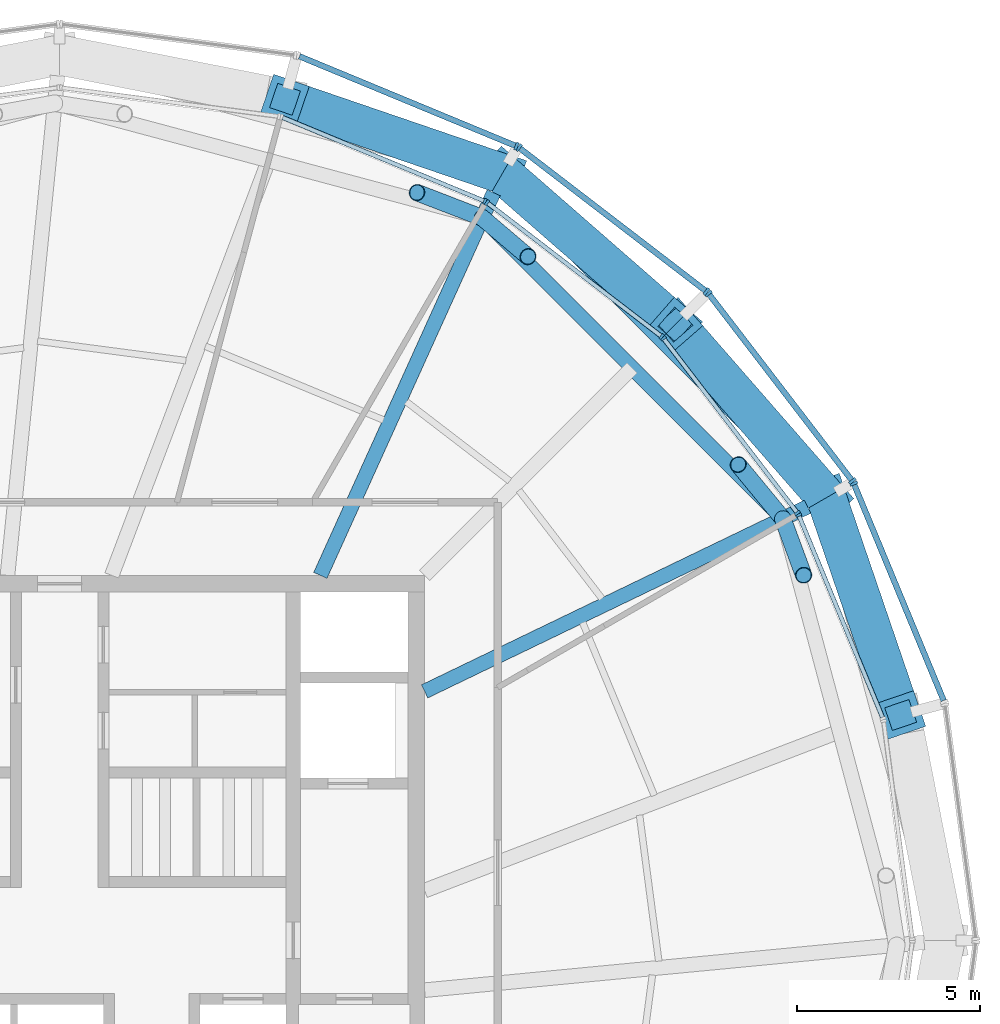
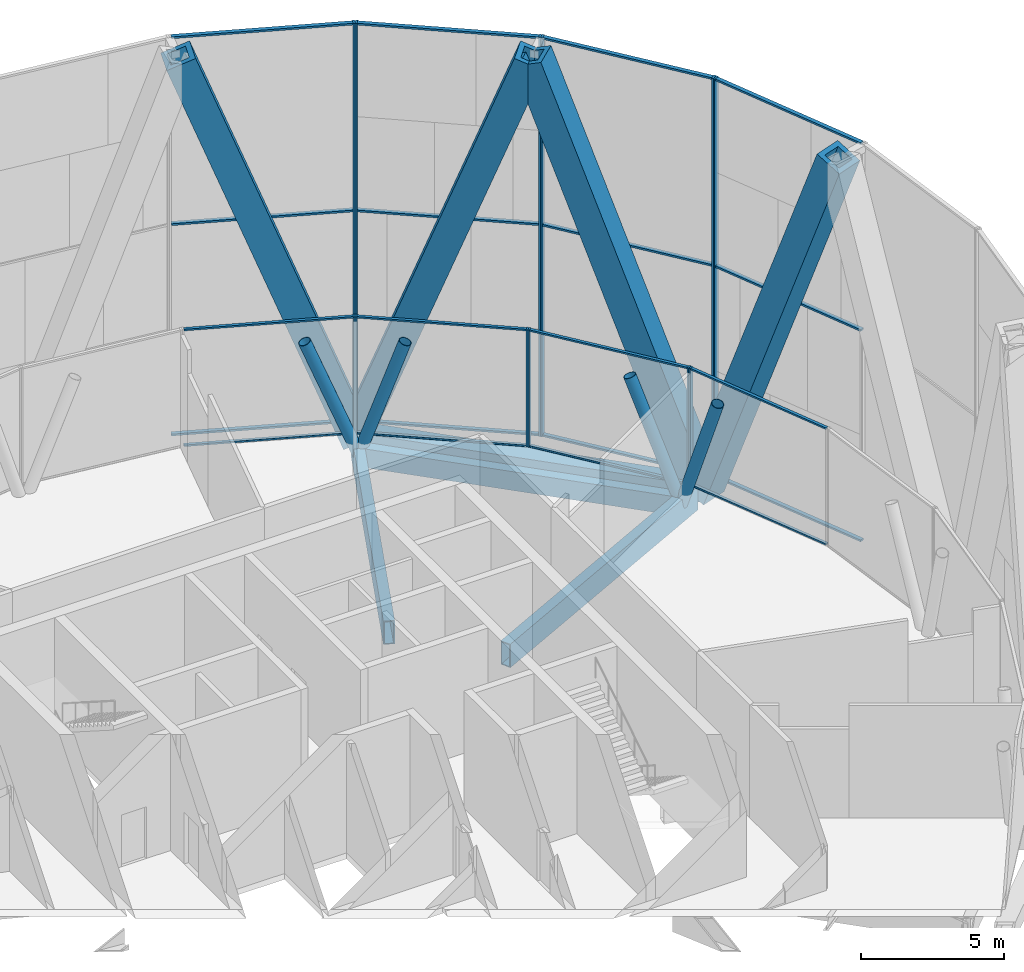
# One storey, part 8 of 15: 40 members, 4 beams, 8 elements without a shape of their own.
"""IFC4 building model written with IfcOpenShell, lengths in metres."""

from ifc_helpers import new_model, si_unit, direction, frame, origin, origin_2d, place, context, subcontext, project, spatial, rectangle, hollow_rectangle, hollow_circle, extrude, material, material_profile, profile_set, type_object, element, aggregate, save


model = new_model("IFC4")

# Units and contexts
model_context = context("Model", 3, precision=1e-05, world=origin(), true_north=direction((0.0, 1.0)))
body_context = subcontext(model_context, "Body", "Model", "MODEL_VIEW")
ifc_project = project(units=[si_unit("LENGTHUNIT", "METRE"), si_unit("AREAUNIT", "SQUARE_METRE"), si_unit("VOLUMEUNIT", "CUBIC_METRE"), si_unit("PLANEANGLEUNIT", "RADIAN"), si_unit("MASSUNIT", "GRAM", prefix="KILO")], contexts=[model_context])

# Site, building, storey
site_placement = place(None, origin())
site = spatial("IfcSite", under=ifc_project, at=site_placement, CompositionType="ELEMENT")
building_placement = place(site_placement, origin())
building = spatial("IfcBuilding", under=site, at=building_placement, Name="Golbaran Civic Tower", CompositionType="ELEMENT")
storey_placement = place(building_placement, frame((0.0, 0.0, 215.0)))
storey = spatial("IfcBuildingStorey", under=building, at=storey_placement, Name="L52", CompositionType="ELEMENT", Elevation=215.0)

# Members
ifc_material_1 = material(Name="Steel S355", Category="steel")
ifc_material_profile_1 = material_profile(ifc_material_1, hollow_circle(Radius=0.228515625, WallThickness=0.02001953125, at=origin_2d()), Name="CHS 457.0x20")
ifc_profile_set_1 = profile_set([ifc_material_profile_1], Name="Steel S355")
member_type_1 = type_object("IfcMemberType", Name="BELT TRUSS DIAGONAL CHS 457.0x20", PredefinedType="BRACE", material=ifc_profile_set_1)
member_1_placement = place(storey_placement, frame((19.81298828125, 11.552734375, -0.60009765625), z_axis=(-0.228116831888, 0.276885065679, 0.933433110305), x_axis=(-0.77180186456, -0.635863099938, 0.0)))
element("IfcMember", 1, at=member_1_placement, inside=storey, type_object=member_type_1, Name="Belt truss diagonal 30.00R L52", PredefinedType="BRACE", context=body_context, shape_type="SweptSolid", body=[
    extrude(hollow_circle(Radius=0.228515625, WallThickness=0.02001953125, at=origin_2d()), origin(), (0.0, 0.0, 1.0), 5.356689453125),
])
member_2_placement = place(storey_placement, frame((19.81298828125, 11.552734375, -0.60009765625), z_axis=(0.108443912345, -0.294361008754, 0.949521729294), x_axis=(0.938348163363, 0.345691660751, 0.0)))
element("IfcMember", 2, at=member_2_placement, inside=storey, type_object=member_type_1, Name="Belt truss diagonal 30.00L L52", PredefinedType="BRACE", context=body_context, shape_type="SweptSolid", body=[
    extrude(hollow_circle(Radius=0.228515625, WallThickness=0.02001953125, at=origin_2d()), origin(), (0.0, 0.0, 1.0), 5.265869140625),
])
member_3_placement = place(storey_placement, frame((11.580322265625, 19.796875, -0.60009765625), z_axis=(-0.334288189881, 0.128873955106, 0.933618182022), x_axis=(-0.359712247931, -0.933063287612, 0.0)))
element("IfcMember", 3, at=member_3_placement, inside=storey, type_object=member_type_1, Name="Belt truss diagonal 60.00R L52", PredefinedType="BRACE", context=body_context, shape_type="SweptSolid", body=[
    extrude(hollow_circle(Radius=0.228515625, WallThickness=0.02001953125, at=origin_2d()), origin(), (0.0, 0.0, 1.0), 5.35546875),
])
member_4_placement = place(storey_placement, frame((11.580322265625, 19.796875, -0.60009765625), z_axis=(0.237997322439, -0.202374258001, 0.949948385024), x_axis=(0.647790633231, 0.76181841373, 0.0)))
element("IfcMember", 4, at=member_4_placement, inside=storey, type_object=member_type_1, Name="Belt truss diagonal 60.00L L52", PredefinedType="BRACE", context=body_context, shape_type="SweptSolid", body=[
    extrude(hollow_circle(Radius=0.228515625, WallThickness=0.02001953125, at=origin_2d()), origin(), (0.0, 0.0, 1.0), 5.263427734375),
])
ifc_material_profile_2 = material_profile(ifc_material_1, hollow_rectangle(XDim=1.10009765625, YDim=1.10009765625, WallThickness=0.199951171875, at=origin_2d()), Name="BOX 1100x1100x200")
ifc_profile_set_2 = profile_set([ifc_material_profile_2], Name="Steel S355")
member_type_2 = type_object("IfcMemberType", Name="DIAGRID DIAGONAL BOX 1100x1100x200", PredefinedType="BRACE", material=ifc_profile_set_2)
for number, where, z_axis, x_axis, name in (
    (5, (21.00634765625, 12.1279296875, -0.7099609375), (-0.228299784139, 0.261485476318, 0.937819041306), (-0.753290092564, -0.657688403763, 0.0), "Diagonal D12-01R L52-L56"),
    (6, (21.00634765625, 12.1279296875, -0.7099609375), (0.112311622101, -0.328449877464, 0.937820226661), (0.94621056858, 0.323551479534, 0.0), "Diagonal D12-01L L52-L56"),
    (7, (12.1279296875, 21.00634765625, -0.7099609375), (-0.328449877464, 0.112311622101, 0.937820226661), (-0.323551479534, -0.94621056858, 0.0), "Diagonal D12-02R L52-L56"),
    (8, (12.1279296875, 21.00634765625, -0.7099609375), (0.261485476318, -0.228299784139, 0.937819041306), (0.657688403763, 0.753290092564, 0.0), "Diagonal D12-02L L52-L56"),
):
    element("IfcMember", number, at=place(storey_placement, frame(where, z_axis=z_axis, x_axis=x_axis)), inside=storey, type_object=member_type_2, Name=name, PredefinedType="BRACE", context=body_context, shape_type="SweptSolid", body=[
        extrude(hollow_rectangle(XDim=1.10009765625, YDim=1.10009765625, WallThickness=0.199951171875, at=origin_2d()), origin(), (0.0, 0.0, 1.0), 18.127197265625),
    ])

# Beams
ifc_material_profile_3 = material_profile(ifc_material_1, hollow_rectangle(XDim=0.699951171875, YDim=0.699951171875, WallThickness=0.080078125, at=origin_2d()), Name="BOX 700x700x80")
ifc_profile_set_3 = profile_set([ifc_material_profile_3], Name="Steel S355")
beam_type_1 = type_object("IfcBeamType", Name="DIAGRID RING TIE BOX 700x700x80", PredefinedType="BEAM", material=ifc_profile_set_3)
beam_1_placement = place(storey_placement, frame((21.00634765625, 12.1279296875, -0.7099609375), z_axis=(-0.707106781187, 0.707106781187, 0.0), x_axis=(-0.707106781187, -0.707106781187, 0.0)))
element("IfcBeam", 9, at=beam_1_placement, inside=storey, type_object=beam_type_1, Name="Ring tie 30.00 L52", PredefinedType="BEAM", context=body_context, shape_type="SweptSolid", body=[
    extrude(hollow_rectangle(XDim=0.699951171875, YDim=0.699951171875, WallThickness=0.080078125, at=origin_2d()), origin(), (0.0, 0.0, 1.0), 12.555908203125),
])
ifc_material_profile_4 = material_profile(ifc_material_1, hollow_rectangle(XDim=0.39990234375, YDim=0.800048828125, WallThickness=0.0400390625, at=origin_2d()), Name="BOX 800x400x40")
ifc_profile_set_4 = profile_set([ifc_material_profile_4], Name="Steel S355")
beam_type_2 = type_object("IfcBeamType", Name="EDGE BEAM BOX 800x400x40", PredefinedType="BEAM", material=ifc_profile_set_4)
beam_2_placement = place(storey_placement, frame((19.67822265625, 11.6875, -0.60009765625), z_axis=(-0.706608276998, 0.707604934182, 0.0), x_axis=(-0.707604934182, -0.706608276998, 0.0)))
element("IfcBeam", 10, at=beam_2_placement, inside=storey, type_object=beam_type_2, Name="Edge beam 30.00 L52", PredefinedType="BEAM", context=body_context, shape_type="SweptSolid", body=[
    extrude(hollow_rectangle(XDim=0.39990234375, YDim=0.800048828125, WallThickness=0.0400390625, at=origin_2d()), origin(), (0.0, 0.0, 1.0), 11.26806640625),
])

# Curtain wall, member
ifc_material_2 = material(Name="Aluminium and glass", Category="aluminium")
curtain_wall_type_1 = type_object("IfcCurtainWallType", Name="OUTER SKIN TERRACOTTA SCREEN", PredefinedType="NOTDEFINED", material=ifc_material_2)
curtain_wall_1_placement = place(storey_placement, origin())
curtain_wall_1 = element("IfcCurtainWall", 11, at=curtain_wall_1_placement, inside=storey, type_object=curtain_wall_type_1, Name="Outer skin L52 facet 2 CW3", ObjectType="OUTER SKIN", PredefinedType="USERDEFINED")
ifc_material_3 = material(Name="Aluminium", Category="aluminium")
ifc_material_profile_5 = material_profile(ifc_material_3, rectangle(XDim=0.219970703125, YDim=0.080078125, at=origin_2d()), Name="OUTER SKIN TERRACOTTA SCREEN MULLION")
ifc_profile_set_5 = profile_set([ifc_material_profile_5], Name="Aluminium")
member_type_3 = type_object("IfcMemberType", Name="OUTER SKIN TERRACOTTA SCREEN MULLION", PredefinedType="MULLION", material=ifc_profile_set_5)
member_5_placement = place(storey_placement, frame((21.7578125, 12.51611328125, -0.7099609375), z_axis=(0.0, 0.0, 1.0), x_axis=(-0.923879532485, -0.38268343243, 0.0)))
member_5 = element("IfcMember", 12, at=member_5_placement, type_object=member_type_3, Name="CW3 mullion 2", PredefinedType="MULLION", context=body_context, shape_type="SweptSolid", body=[
    extrude(rectangle(XDim=0.219970703125, YDim=0.080078125, at=origin_2d()), origin(), (0.0, 0.0, 1.0), 17.0),
])

# Curtain wall, members
curtain_wall_2_placement = place(storey_placement, origin())
curtain_wall_2 = element("IfcCurtainWall", 13, at=curtain_wall_2_placement, inside=storey, type_object=curtain_wall_type_1, Name="Outer skin L52 facet 3 CW3", ObjectType="OUTER SKIN", PredefinedType="USERDEFINED")
member_6_placement = place(storey_placement, frame((21.718017578125, 12.584716796875, -0.7099609375), z_axis=(0.0, 0.0, 1.0), x_axis=(-0.793353340259, -0.60876142905, 0.0)))
member_6 = element("IfcMember", 14, at=member_6_placement, type_object=member_type_3, Name="CW3 mullion 1", PredefinedType="MULLION", context=body_context, shape_type="SweptSolid", body=[
    extrude(rectangle(XDim=0.219970703125, YDim=0.080078125, at=origin_2d()), origin(), (0.0, 0.0, 1.0), 17.0),
])
member_7_placement = place(storey_placement, frame((17.77685546875, 17.720947265625, -0.7099609375), z_axis=(0.0, 0.0, 1.0), x_axis=(-0.793353340259, -0.60876142905, 0.0)))
member_7 = element("IfcMember", 15, at=member_7_placement, type_object=member_type_3, Name="CW3 mullion 2", PredefinedType="MULLION", context=body_context, shape_type="SweptSolid", body=[
    extrude(rectangle(XDim=0.219970703125, YDim=0.080078125, at=origin_2d()), origin(), (0.0, 0.0, 1.0), 17.0),
])

curtain_wall_3_placement = place(storey_placement, origin())
curtain_wall_3 = element("IfcCurtainWall", 16, at=curtain_wall_3_placement, inside=storey, type_object=curtain_wall_type_1, Name="Outer skin L52 facet 4 CW3", ObjectType="OUTER SKIN", PredefinedType="USERDEFINED")
member_8_placement = place(storey_placement, frame((17.720947265625, 17.77685546875, -0.7099609375), z_axis=(0.0, 0.0, 1.0), x_axis=(-0.60876142905, -0.793353340259, 0.0)))
member_8 = element("IfcMember", 17, at=member_8_placement, type_object=member_type_3, Name="CW3 mullion 1", PredefinedType="MULLION", context=body_context, shape_type="SweptSolid", body=[
    extrude(rectangle(XDim=0.219970703125, YDim=0.080078125, at=origin_2d()), origin(), (0.0, 0.0, 1.0), 17.0),
])
member_9_placement = place(storey_placement, frame((12.584716796875, 21.718017578125, -0.7099609375), z_axis=(0.0, 0.0, 1.0), x_axis=(-0.60876142905, -0.793353340259, 0.0)))
member_9 = element("IfcMember", 18, at=member_9_placement, type_object=member_type_3, Name="CW3 mullion 2", PredefinedType="MULLION", context=body_context, shape_type="SweptSolid", body=[
    extrude(rectangle(XDim=0.219970703125, YDim=0.080078125, at=origin_2d()), origin(), (0.0, 0.0, 1.0), 17.0),
])

# Curtain wall, member
curtain_wall_4_placement = place(storey_placement, origin())
curtain_wall_4 = element("IfcCurtainWall", 19, at=curtain_wall_4_placement, inside=storey, type_object=curtain_wall_type_1, Name="Outer skin L52 facet 5 CW3", ObjectType="OUTER SKIN", PredefinedType="USERDEFINED")
member_10_placement = place(storey_placement, frame((12.51611328125, 21.7578125, -0.7099609375), z_axis=(0.0, 0.0, 1.0), x_axis=(-0.38268343243, -0.923879532485, 0.0)))
member_10 = element("IfcMember", 20, at=member_10_placement, type_object=member_type_3, Name="CW3 mullion 1", PredefinedType="MULLION", context=body_context, shape_type="SweptSolid", body=[
    extrude(rectangle(XDim=0.219970703125, YDim=0.080078125, at=origin_2d()), origin(), (0.0, 0.0, 1.0), 17.0),
])

# Member
ifc_material_profile_6 = material_profile(ifc_material_3, rectangle(XDim=0.159912109375, YDim=0.080078125, at=origin_2d()), Name="OUTER SKIN TERRACOTTA SCREEN TRANSOM")
ifc_profile_set_6 = profile_set([ifc_material_profile_6], Name="Aluminium")
member_type_4 = type_object("IfcMemberType", Name="OUTER SKIN TERRACOTTA SCREEN TRANSOM", PredefinedType="USERDEFINED", material=ifc_profile_set_6)
member_11_placement = place(storey_placement, frame((24.219970703125, 6.57177734375, -0.669921875), z_axis=(-0.382705875896, 0.923870235777, 0.0), x_axis=(-0.923870235777, -0.382705875896, 0.0)))
member_11 = element("IfcMember", 21, at=member_11_placement, type_object=member_type_4, Name="CW3 transom 1.1", ObjectType="TRANSOM", PredefinedType="USERDEFINED", context=body_context, shape_type="SweptSolid", body=[
    extrude(rectangle(XDim=0.159912109375, YDim=0.080078125, at=origin_2d()), origin(), (0.0, 0.0, 1.0), 6.39404296875),
])

member_12_placement = place(storey_placement, frame((24.219970703125, 6.57177734375, 8.2900390625), z_axis=(-0.382705875896, 0.923870235777, 0.0), x_axis=(-0.923870235777, -0.382705875896, 0.0)))
member_12 = element("IfcMember", 22, at=member_12_placement, type_object=member_type_4, Name="CW3 transom 1.2", ObjectType="TRANSOM", PredefinedType="USERDEFINED", context=body_context, shape_type="SweptSolid", body=[
    extrude(rectangle(XDim=0.159912109375, YDim=0.080078125, at=origin_2d()), origin(), (0.0, 0.0, 1.0), 6.39404296875),
])

member_13_placement = place(storey_placement, frame((24.219970703125, 6.57177734375, 16.25), z_axis=(-0.382705875896, 0.923870235777, 0.0), x_axis=(-0.923870235777, -0.382705875896, 0.0)))
member_13 = element("IfcMember", 23, at=member_13_placement, type_object=member_type_4, Name="CW3 transom 1.3", ObjectType="TRANSOM", PredefinedType="USERDEFINED", context=body_context, shape_type="SweptSolid", body=[
    extrude(rectangle(XDim=0.159912109375, YDim=0.080078125, at=origin_2d()), origin(), (0.0, 0.0, 1.0), 6.39404296875),
])

aggregate(curtain_wall_1, [member_5, member_11, member_12, member_13])

member_14_placement = place(storey_placement, frame((21.69384765625, 12.616455078125, -0.669921875), z_axis=(-0.608772960589, 0.793344491665, 0.0), x_axis=(-0.793344491665, -0.608772960589, 0.0)))
member_14 = element("IfcMember", 24, at=member_14_placement, type_object=member_type_4, Name="CW3 transom 1.1", ObjectType="TRANSOM", PredefinedType="USERDEFINED", context=body_context, shape_type="SweptSolid", body=[
    extrude(rectangle(XDim=0.159912109375, YDim=0.080078125, at=origin_2d()), origin(), (0.0, 0.0, 1.0), 6.39404296875),
])

member_15_placement = place(storey_placement, frame((21.69384765625, 12.616455078125, 8.2900390625), z_axis=(-0.608772960589, 0.793344491665, 0.0), x_axis=(-0.793344491665, -0.608772960589, 0.0)))
member_15 = element("IfcMember", 25, at=member_15_placement, type_object=member_type_4, Name="CW3 transom 1.2", ObjectType="TRANSOM", PredefinedType="USERDEFINED", context=body_context, shape_type="SweptSolid", body=[
    extrude(rectangle(XDim=0.159912109375, YDim=0.080078125, at=origin_2d()), origin(), (0.0, 0.0, 1.0), 6.39404296875),
])

member_16_placement = place(storey_placement, frame((21.69384765625, 12.616455078125, 16.25), z_axis=(-0.608772960589, 0.793344491665, 0.0), x_axis=(-0.793344491665, -0.608772960589, 0.0)))
member_16 = element("IfcMember", 26, at=member_16_placement, type_object=member_type_4, Name="CW3 transom 1.3", ObjectType="TRANSOM", PredefinedType="USERDEFINED", context=body_context, shape_type="SweptSolid", body=[
    extrude(rectangle(XDim=0.159912109375, YDim=0.080078125, at=origin_2d()), origin(), (0.0, 0.0, 1.0), 6.39404296875),
])

aggregate(curtain_wall_2, [member_6, member_7, member_14, member_15, member_16])

member_17_placement = place(storey_placement, frame((17.689208984375, 17.80126953125, -0.669921875), z_axis=(-0.793344491665, 0.608772960589, 0.0), x_axis=(-0.608772960589, -0.793344491665, 0.0)))
member_17 = element("IfcMember", 27, at=member_17_placement, type_object=member_type_4, Name="CW3 transom 1.1", ObjectType="TRANSOM", PredefinedType="USERDEFINED", context=body_context, shape_type="SweptSolid", body=[
    extrude(rectangle(XDim=0.159912109375, YDim=0.080078125, at=origin_2d()), origin(), (0.0, 0.0, 1.0), 6.39404296875),
])

member_18_placement = place(storey_placement, frame((17.689208984375, 17.80126953125, 8.2900390625), z_axis=(-0.793344491665, 0.608772960589, 0.0), x_axis=(-0.608772960589, -0.793344491665, 0.0)))
member_18 = element("IfcMember", 28, at=member_18_placement, type_object=member_type_4, Name="CW3 transom 1.2", ObjectType="TRANSOM", PredefinedType="USERDEFINED", context=body_context, shape_type="SweptSolid", body=[
    extrude(rectangle(XDim=0.159912109375, YDim=0.080078125, at=origin_2d()), origin(), (0.0, 0.0, 1.0), 6.39404296875),
])

member_19_placement = place(storey_placement, frame((17.689208984375, 17.80126953125, 16.25), z_axis=(-0.793344491665, 0.608772960589, 0.0), x_axis=(-0.608772960589, -0.793344491665, 0.0)))
member_19 = element("IfcMember", 29, at=member_19_placement, type_object=member_type_4, Name="CW3 transom 1.3", ObjectType="TRANSOM", PredefinedType="USERDEFINED", context=body_context, shape_type="SweptSolid", body=[
    extrude(rectangle(XDim=0.159912109375, YDim=0.080078125, at=origin_2d()), origin(), (0.0, 0.0, 1.0), 6.39404296875),
])

aggregate(curtain_wall_3, [member_8, member_9, member_17, member_18, member_19])

member_20_placement = place(storey_placement, frame((12.47900390625, 21.77294921875, -0.669921875), z_axis=(-0.923870235777, 0.382705875896, 0.0), x_axis=(-0.382705875896, -0.923870235777, 0.0)))
member_20 = element("IfcMember", 30, at=member_20_placement, type_object=member_type_4, Name="CW3 transom 1.1", ObjectType="TRANSOM", PredefinedType="USERDEFINED", context=body_context, shape_type="SweptSolid", body=[
    extrude(rectangle(XDim=0.159912109375, YDim=0.080078125, at=origin_2d()), origin(), (0.0, 0.0, 1.0), 6.39404296875),
])

member_21_placement = place(storey_placement, frame((12.47900390625, 21.77294921875, 8.2900390625), z_axis=(-0.923870235777, 0.382705875896, 0.0), x_axis=(-0.382705875896, -0.923870235777, 0.0)))
member_21 = element("IfcMember", 31, at=member_21_placement, type_object=member_type_4, Name="CW3 transom 1.2", ObjectType="TRANSOM", PredefinedType="USERDEFINED", context=body_context, shape_type="SweptSolid", body=[
    extrude(rectangle(XDim=0.159912109375, YDim=0.080078125, at=origin_2d()), origin(), (0.0, 0.0, 1.0), 6.39404296875),
])

member_22_placement = place(storey_placement, frame((12.47900390625, 21.77294921875, 16.25), z_axis=(-0.923870235777, 0.382705875896, 0.0), x_axis=(-0.382705875896, -0.923870235777, 0.0)))
member_22 = element("IfcMember", 32, at=member_22_placement, type_object=member_type_4, Name="CW3 transom 1.3", ObjectType="TRANSOM", PredefinedType="USERDEFINED", context=body_context, shape_type="SweptSolid", body=[
    extrude(rectangle(XDim=0.159912109375, YDim=0.080078125, at=origin_2d()), origin(), (0.0, 0.0, 1.0), 6.39404296875),
])

aggregate(curtain_wall_4, [member_10, member_20, member_21, member_22])

# Curtain wall, member
curtain_wall_type_2 = type_object("IfcCurtainWallType", Name="PLANT FLOOR LOUVRE WALL", PredefinedType="NOTDEFINED", material=ifc_material_2)
curtain_wall_5_placement = place(storey_placement, origin())
curtain_wall_5 = element("IfcCurtainWall", 33, at=curtain_wall_5_placement, inside=storey, type_object=curtain_wall_type_2, Name="Inner skin L52 facet 2 CW6", ObjectType="PLANT LOUVRE WALL", PredefinedType="USERDEFINED")
ifc_material_profile_7 = material_profile(ifc_material_3, rectangle(XDim=0.159912109375, YDim=0.070068359375, at=origin_2d()), Name="PLANT FLOOR LOUVRE WALL MULLION")
ifc_profile_set_7 = profile_set([ifc_material_profile_7], Name="Aluminium")
member_type_5 = type_object("IfcMemberType", Name="PLANT FLOOR LOUVRE WALL MULLION", PredefinedType="MULLION", material=ifc_profile_set_7)
member_23_placement = place(storey_placement, frame((20.248046875, 11.650146484375, 0.0), z_axis=(0.0, 0.0, 1.0), x_axis=(-0.923879532498, -0.382683432397, 0.0)))
member_23 = element("IfcMember", 34, at=member_23_placement, type_object=member_type_5, Name="CW6 mullion 2", PredefinedType="MULLION", context=body_context, shape_type="SweptSolid", body=[
    extrude(rectangle(XDim=0.159912109375, YDim=0.070068359375, at=origin_2d()), origin(), (0.0, 0.0, 1.0), 5.0),
])

# Curtain wall, members
curtain_wall_6_placement = place(storey_placement, origin())
curtain_wall_6 = element("IfcCurtainWall", 35, at=curtain_wall_6_placement, inside=storey, type_object=curtain_wall_type_2, Name="Inner skin L52 facet 3 CW6", ObjectType="PLANT LOUVRE WALL", PredefinedType="USERDEFINED")
member_24_placement = place(storey_placement, frame((20.21337890625, 11.710205078125, 0.0), z_axis=(0.0, 0.0, 1.0), x_axis=(-0.79335334027, -0.608761429036, 0.0)))
member_24 = element("IfcMember", 36, at=member_24_placement, type_object=member_type_5, Name="CW6 mullion 1", PredefinedType="MULLION", context=body_context, shape_type="SweptSolid", body=[
    extrude(rectangle(XDim=0.159912109375, YDim=0.070068359375, at=origin_2d()), origin(), (0.0, 0.0, 1.0), 5.0),
])
member_25_placement = place(storey_placement, frame((16.54296875, 16.493896484375, 0.0), z_axis=(0.0, 0.0, 1.0), x_axis=(-0.79335334027, -0.608761429036, 0.0)))
member_25 = element("IfcMember", 37, at=member_25_placement, type_object=member_type_5, Name="CW6 mullion 2", PredefinedType="MULLION", context=body_context, shape_type="SweptSolid", body=[
    extrude(rectangle(XDim=0.159912109375, YDim=0.070068359375, at=origin_2d()), origin(), (0.0, 0.0, 1.0), 5.0),
])

curtain_wall_7_placement = place(storey_placement, origin())
curtain_wall_7 = element("IfcCurtainWall", 38, at=curtain_wall_7_placement, inside=storey, type_object=curtain_wall_type_2, Name="Inner skin L52 facet 4 CW6", ObjectType="PLANT LOUVRE WALL", PredefinedType="USERDEFINED")
member_26_placement = place(storey_placement, frame((16.493896484375, 16.54296875, 0.0), z_axis=(0.0, 0.0, 1.0), x_axis=(-0.608761429036, -0.79335334027, 0.0)))
member_26 = element("IfcMember", 39, at=member_26_placement, type_object=member_type_5, Name="CW6 mullion 1", PredefinedType="MULLION", context=body_context, shape_type="SweptSolid", body=[
    extrude(rectangle(XDim=0.159912109375, YDim=0.070068359375, at=origin_2d()), origin(), (0.0, 0.0, 1.0), 5.0),
])
member_27_placement = place(storey_placement, frame((11.710205078125, 20.21337890625, 0.0), z_axis=(0.0, 0.0, 1.0), x_axis=(-0.608761429036, -0.79335334027, 0.0)))
member_27 = element("IfcMember", 40, at=member_27_placement, type_object=member_type_5, Name="CW6 mullion 2", PredefinedType="MULLION", context=body_context, shape_type="SweptSolid", body=[
    extrude(rectangle(XDim=0.159912109375, YDim=0.070068359375, at=origin_2d()), origin(), (0.0, 0.0, 1.0), 5.0),
])

# Curtain wall, member
curtain_wall_8_placement = place(storey_placement, origin())
curtain_wall_8 = element("IfcCurtainWall", 41, at=curtain_wall_8_placement, inside=storey, type_object=curtain_wall_type_2, Name="Inner skin L52 facet 5 CW6", ObjectType="PLANT LOUVRE WALL", PredefinedType="USERDEFINED")
member_28_placement = place(storey_placement, frame((11.650146484375, 20.248046875, 0.0), z_axis=(0.0, 0.0, 1.0), x_axis=(-0.382683432397, -0.923879532498, 0.0)))
member_28 = element("IfcMember", 42, at=member_28_placement, type_object=member_type_5, Name="CW6 mullion 1", PredefinedType="MULLION", context=body_context, shape_type="SweptSolid", body=[
    extrude(rectangle(XDim=0.159912109375, YDim=0.070068359375, at=origin_2d()), origin(), (0.0, 0.0, 1.0), 5.0),
])

# Member
ifc_material_profile_8 = material_profile(ifc_material_3, rectangle(XDim=0.1201171875, YDim=0.070068359375, at=origin_2d()), Name="PLANT FLOOR LOUVRE WALL TRANSOM")
ifc_profile_set_8 = profile_set([ifc_material_profile_8], Name="Aluminium")
member_type_6 = type_object("IfcMemberType", Name="PLANT FLOOR LOUVRE WALL TRANSOM", PredefinedType="USERDEFINED", material=ifc_profile_set_8)
member_29_placement = place(storey_placement, frame((22.5419921875, 6.112060546875, 0.034912109375), z_axis=(-0.382671394504, 0.923884518665, 0.0), x_axis=(-0.923884518665, -0.382671394504, 0.0)))
member_29 = element("IfcMember", 43, at=member_29_placement, type_object=member_type_6, Name="CW6 transom 1.1", ObjectType="TRANSOM", PredefinedType="USERDEFINED", context=body_context, shape_type="SweptSolid", body=[
    extrude(rectangle(XDim=0.1201171875, YDim=0.070068359375, at=origin_2d()), origin(), (0.0, 0.0, 1.0), 5.95947265625),
])

member_30_placement = place(storey_placement, frame((22.5419921875, 6.112060546875, 4.965087890625), z_axis=(-0.382671394504, 0.923884518665, 0.0), x_axis=(-0.923884518665, -0.382671394504, 0.0)))
member_30 = element("IfcMember", 44, at=member_30_placement, type_object=member_type_6, Name="CW6 transom 1.2", ObjectType="TRANSOM", PredefinedType="USERDEFINED", context=body_context, shape_type="SweptSolid", body=[
    extrude(rectangle(XDim=0.1201171875, YDim=0.070068359375, at=origin_2d()), origin(), (0.0, 0.0, 1.0), 5.95947265625),
])

aggregate(curtain_wall_5, [member_23, member_29, member_30])

member_31_placement = place(storey_placement, frame((20.192138671875, 11.738037109375, 0.034912109375), z_axis=(-0.608760025056, 0.79335441758, 0.0), x_axis=(-0.79335441758, -0.608760025056, 0.0)))
member_31 = element("IfcMember", 45, at=member_31_placement, type_object=member_type_6, Name="CW6 transom 1.1", ObjectType="TRANSOM", PredefinedType="USERDEFINED", context=body_context, shape_type="SweptSolid", body=[
    extrude(rectangle(XDim=0.1201171875, YDim=0.070068359375, at=origin_2d()), origin(), (0.0, 0.0, 1.0), 5.95947265625),
])

member_32_placement = place(storey_placement, frame((20.192138671875, 11.738037109375, 4.965087890625), z_axis=(-0.608760025056, 0.79335441758, 0.0), x_axis=(-0.79335441758, -0.608760025056, 0.0)))
member_32 = element("IfcMember", 46, at=member_32_placement, type_object=member_type_6, Name="CW6 transom 1.2", ObjectType="TRANSOM", PredefinedType="USERDEFINED", context=body_context, shape_type="SweptSolid", body=[
    extrude(rectangle(XDim=0.1201171875, YDim=0.070068359375, at=origin_2d()), origin(), (0.0, 0.0, 1.0), 5.95947265625),
])

aggregate(curtain_wall_6, [member_24, member_25, member_31, member_32])

member_33_placement = place(storey_placement, frame((16.466064453125, 16.564208984375, 0.034912109375), z_axis=(-0.79335441758, 0.608760025056, 0.0), x_axis=(-0.608760025056, -0.79335441758, 0.0)))
member_33 = element("IfcMember", 47, at=member_33_placement, type_object=member_type_6, Name="CW6 transom 1.1", ObjectType="TRANSOM", PredefinedType="USERDEFINED", context=body_context, shape_type="SweptSolid", body=[
    extrude(rectangle(XDim=0.1201171875, YDim=0.070068359375, at=origin_2d()), origin(), (0.0, 0.0, 1.0), 5.95947265625),
])

member_34_placement = place(storey_placement, frame((16.466064453125, 16.564208984375, 4.965087890625), z_axis=(-0.79335441758, 0.608760025056, 0.0), x_axis=(-0.608760025056, -0.79335441758, 0.0)))
member_34 = element("IfcMember", 48, at=member_34_placement, type_object=member_type_6, Name="CW6 transom 1.2", ObjectType="TRANSOM", PredefinedType="USERDEFINED", context=body_context, shape_type="SweptSolid", body=[
    extrude(rectangle(XDim=0.1201171875, YDim=0.070068359375, at=origin_2d()), origin(), (0.0, 0.0, 1.0), 5.95947265625),
])

aggregate(curtain_wall_7, [member_26, member_27, member_33, member_34])

member_35_placement = place(storey_placement, frame((11.617919921875, 20.261474609375, 0.034912109375), z_axis=(-0.923884518665, 0.382671394504, 0.0), x_axis=(-0.382671394504, -0.923884518665, 0.0)))
member_35 = element("IfcMember", 49, at=member_35_placement, type_object=member_type_6, Name="CW6 transom 1.1", ObjectType="TRANSOM", PredefinedType="USERDEFINED", context=body_context, shape_type="SweptSolid", body=[
    extrude(rectangle(XDim=0.1201171875, YDim=0.070068359375, at=origin_2d()), origin(), (0.0, 0.0, 1.0), 5.95947265625),
])

member_36_placement = place(storey_placement, frame((11.617919921875, 20.261474609375, 4.965087890625), z_axis=(-0.923884518665, 0.382671394504, 0.0), x_axis=(-0.382671394504, -0.923884518665, 0.0)))
member_36 = element("IfcMember", 50, at=member_36_placement, type_object=member_type_6, Name="CW6 transom 1.2", ObjectType="TRANSOM", PredefinedType="USERDEFINED", context=body_context, shape_type="SweptSolid", body=[
    extrude(rectangle(XDim=0.1201171875, YDim=0.070068359375, at=origin_2d()), origin(), (0.0, 0.0, 1.0), 5.95947265625),
])

aggregate(curtain_wall_8, [member_28, member_35, member_36])

# Beams
ifc_material_profile_9 = material_profile(ifc_material_1, hollow_rectangle(XDim=0.39990234375, YDim=1.0, WallThickness=0.0400390625, at=origin_2d()), Name="BOX 1000x400x40")
ifc_profile_set_9 = profile_set([ifc_material_profile_9], Name="Steel S355")
beam_type_3 = type_object("IfcBeamType", Name="RADIAL FLOOR BEAM BOX 1000x400x40", PredefinedType="BEAM", material=ifc_profile_set_9)
beam_3_placement = place(storey_placement, frame((10.0, 6.821533203125, -0.7099609375), z_axis=(0.90076912062, 0.43429827462, 0.0), x_axis=(-0.43429827462, 0.90076912062, 0.0)))
element("IfcBeam", 51, at=beam_3_placement, inside=storey, type_object=beam_type_3, Name="Radial beam 30.00 L52", PredefinedType="BEAM", context=body_context, shape_type="SweptSolid", body=[
    extrude(hollow_rectangle(XDim=0.39990234375, YDim=1.0, WallThickness=0.0400390625, at=origin_2d()), origin(), (0.0, 0.0, 1.0), 11.648193359375),
])
beam_4_placement = place(storey_placement, frame((7.142822265625, 10.0, -0.7099609375), z_axis=(0.412594244352, 0.910914918929, 0.0), x_axis=(-0.910914918929, 0.412594244352, 0.0)))
element("IfcBeam", 52, at=beam_4_placement, inside=storey, type_object=beam_type_3, Name="Radial beam 60.00 L52", PredefinedType="BEAM", context=body_context, shape_type="SweptSolid", body=[
    extrude(hollow_rectangle(XDim=0.39990234375, YDim=1.0, WallThickness=0.0400390625, at=origin_2d()), origin(), (0.0, 0.0, 1.0), 11.50830078125),
])

save(model, "model.ifc")
